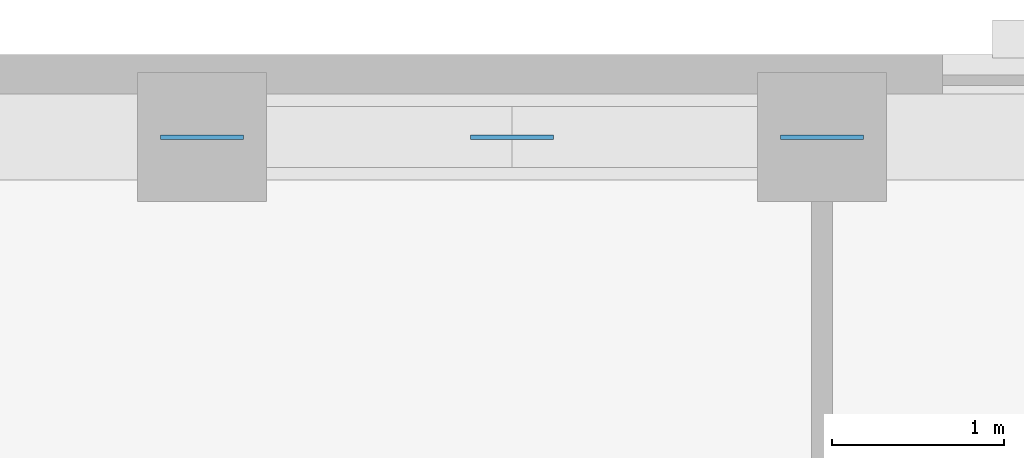
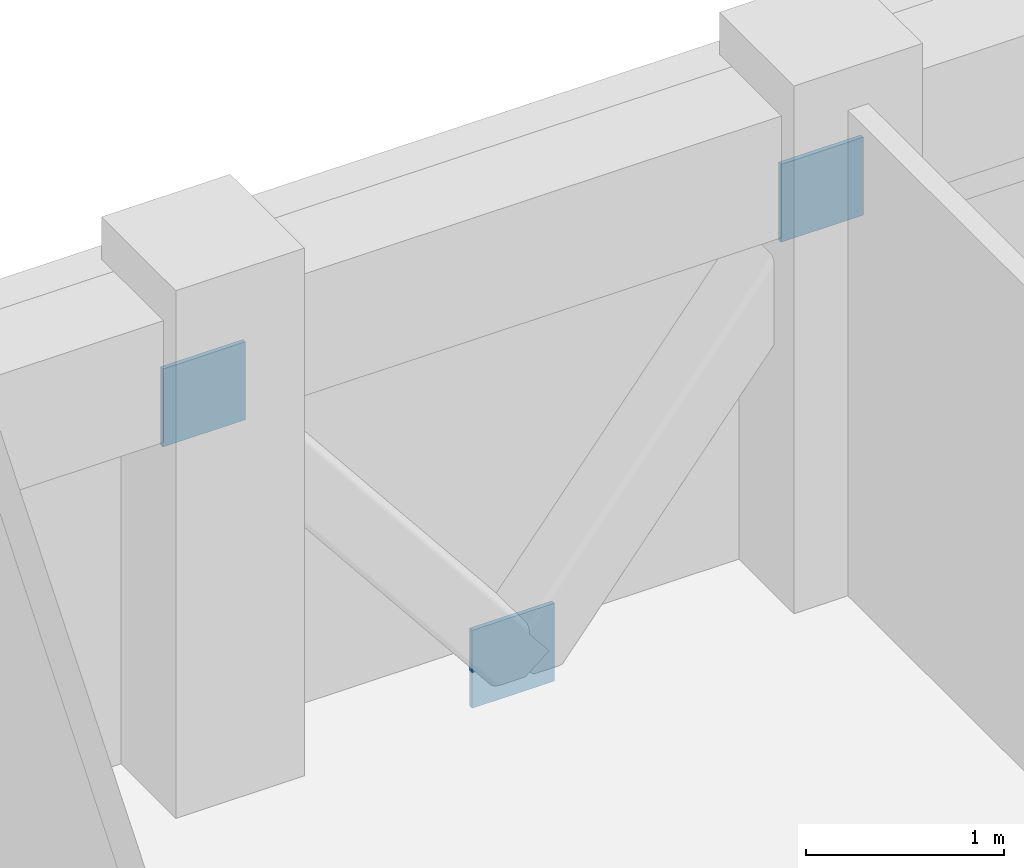
# One storey, part 10 of 12: 3 discrete accessories.
"""IFC4 building model written with IfcOpenShell, lengths in metres."""

from ifc_helpers import new_model, si_unit, derived_unit, direction, frame, origin, origin_2d, place, context, subcontext, project, spatial, rectangle, extrude, material, layer, layer_set, type_object, element, save


model = new_model("IFC4")

# Units and contexts
model_context = context("Model", 3, precision=1e-05, world=origin(), true_north=direction((0.0, 1.0)))
body_context = subcontext(model_context, "Body", "Model", "MODEL_VIEW")
ifc_project = project(units=[si_unit("LENGTHUNIT", "METRE"), si_unit("AREAUNIT", "SQUARE_METRE"), si_unit("VOLUMEUNIT", "CUBIC_METRE"), si_unit("PLANEANGLEUNIT", "RADIAN"), si_unit("MASSUNIT", "GRAM", prefix="KILO"), derived_unit("THERMALTRANSMITTANCEUNIT", [(si_unit("MASSUNIT", "GRAM", prefix="KILO"), 1), (si_unit("TIMEUNIT", "SECOND"), -3), (si_unit("THERMODYNAMICTEMPERATUREUNIT", "KELVIN"), -1)])], contexts=[model_context])

# Site, building, storey
site_placement = place(None, origin())
site = spatial("IfcSite", under=ifc_project, at=site_placement, CompositionType="ELEMENT")
building_placement = place(site_placement, origin())
building = spatial("IfcBuilding", under=site, at=building_placement, Name="Korrvale Station Residences", CompositionType="ELEMENT")
storey_placement = place(building_placement, frame((0.0, 0.0, 130.89990234375)))
storey = spatial("IfcBuildingStorey", under=building, at=storey_placement, Name="L37", CompositionType="ELEMENT", Elevation=130.89990234375)

# Discrete accessories
ifc_material = material(Name="Steel S355", Category="steel")
ifc_layer = layer(ifc_material, 0.02490234375, Name="Steel S355")
ifc_layer_set = layer_set([ifc_layer], Name="Steel S355")
discrete_accessory_type = type_object("IfcDiscreteAccessoryType", Name="ACC-GUSSET-25", PredefinedType="BRACKET", material=ifc_layer_set)
for number, where, z_axis, x_axis, name in (
    (1, (25.0, 42.820068359375, -0.219970703125), (0.0, 0.0, 1.0), (1.0, 0.0, 0.0), "L37 N Brace End Gusset Connection M"),
    (2, (23.199951171875, 42.820068359375, 2.02001953125), (0.0, 0.0, 1.0), (1.0, 0.0, 0.0), "L37 N Brace End Gusset Connection A"),
    (3, (26.800048828125, 42.820068359375, 2.02001953125), (0.0, 0.0, 1.0), (1.0, 0.0, 0.0), "L37 N Brace End Gusset Connection B"),
):
    element("IfcDiscreteAccessory", number, at=place(storey_placement, frame(where, z_axis=z_axis, x_axis=x_axis)), inside=storey, type_object=discrete_accessory_type, Name=name, PredefinedType="BRACKET", context=body_context, shape_type="SweptSolid", body=[
        extrude(rectangle(XDim=0.47998046875, YDim=0.02490234375, at=origin_2d()), origin(), (0.0, 0.0, 1.0), 0.47998046875),
    ])

save(model, "model.ifc")
